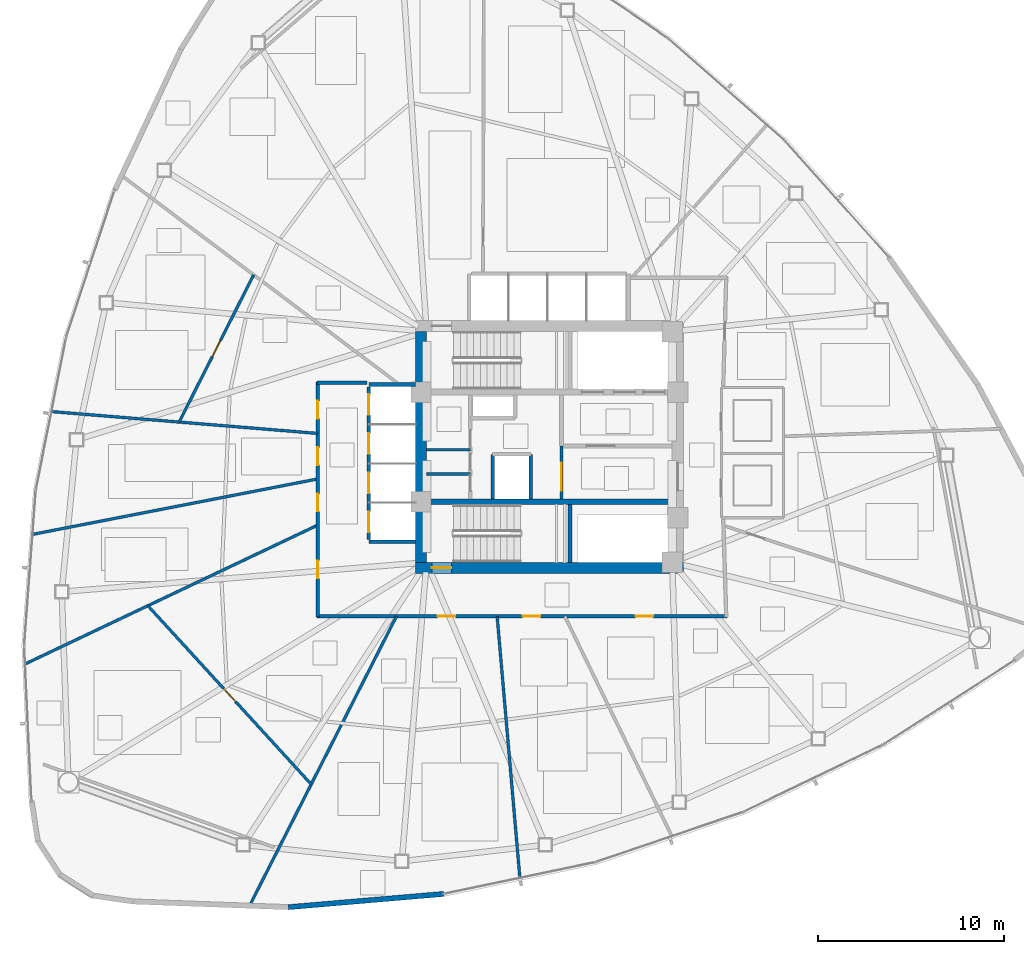
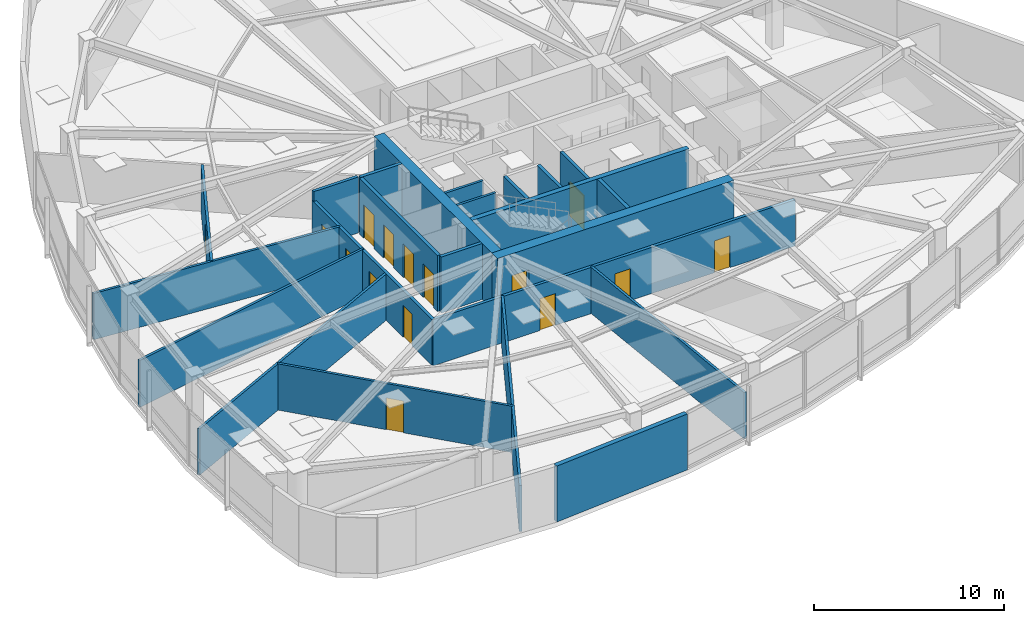
# One storey, part 11 of 17: 23 walls, 15 doors, 15 openings.
"""IFC4 building model written with IfcOpenShell, lengths in metres."""

import ifcopenshell
import ifcopenshell.guid

model = None  # the IFC model being written
_history = None  # IfcOwnerHistory: only IFC2X3 demands one
_inside = {}  # id of a spatial element -> (the spatial element, [elements in it])
_under = {}  # id of a project, library or spatial element -> (it, [spatial elements below it])
_declared = {}  # id of a project -> (the project, [libraries it declares])
_typed = {}  # id of a type object -> (the type object, [elements of that type])
_made_of = {}  # id of a material, layer set ... -> (it, [elements and type objects made of it])


def new_model(schema):
    """Start an empty IFC model of exactly this schema.

    Asked for "IFC4X3", IfcOpenShell would pick the latest addendum, in which some entities
    have other attributes; the version numbers below select the first issue.
    IFC2X3 requires an IfcOwnerHistory on every rooted entity: one is made here for all.
    """
    global model, _history
    if schema == "IFC4X3":
        model = ifcopenshell.file(schema_version=(4, 3, 0, 0))
    else:
        model = ifcopenshell.file(schema=schema)
    _inside.clear()
    _under.clear()
    _declared.clear()
    _typed.clear()
    _made_of.clear()
    _history = None
    if model.schema == "IFC2X3":
        org = make("IfcOrganization", Name="unknown")
        user = make(
            "IfcPersonAndOrganization",
            ThePerson=make("IfcPerson", FamilyName="unknown"),
            TheOrganization=org,
        )
        app = make(
            "IfcApplication",
            ApplicationDeveloper=org,
            Version="unknown",
            ApplicationFullName="unknown",
            ApplicationIdentifier="unknown",
        )
        _history = make(
            "IfcOwnerHistory",
            OwningUser=user,
            OwningApplication=app,
            ChangeAction="ADDED",
            CreationDate=0,
        )
    return model


def make(cls, **values):
    """One entity of the class cls with the attributes given. An attribute that is None is left unset."""
    return model.create_entity(
        cls, **{name: value for name, value in values.items() if value is not None}
    )


def rooted(cls, **values):
    """An entity with a GlobalId (a new one), such as an element, a storey or a relation."""
    return make(cls, GlobalId=ifcopenshell.guid.new(), OwnerHistory=_history, **values)


def si_unit(unit_type, name, prefix=None):
    """IfcSIUnit, for example si_unit("LENGTHUNIT", "METRE", prefix="MILLI")."""
    return make("IfcSIUnit", UnitType=unit_type, Prefix=prefix, Name=name)


def assignment(units):
    """IfcUnitAssignment: the units of a project."""
    return None if units is None else make("IfcUnitAssignment", Units=units)


def point(xyz):
    """IfcCartesianPoint."""
    return None if xyz is None else make("IfcCartesianPoint", Coordinates=xyz)


def direction(xyz):
    """IfcDirection."""
    return None if xyz is None else make("IfcDirection", DirectionRatios=xyz)


def frame(location, z_axis=None, x_axis=None):
    """IfcAxis2Placement3D, a coordinate frame: its origin and axes. An axis left out is left unset."""
    return make(
        "IfcAxis2Placement3D",
        Location=point(location),
        Axis=direction(z_axis),
        RefDirection=direction(x_axis),
    )


def frame_2d(location, x_axis=None):
    """IfcAxis2Placement2D, a coordinate frame in the plane: its origin and x axis."""
    return make(
        "IfcAxis2Placement2D", Location=point(location), RefDirection=direction(x_axis)
    )


def origin():
    """The frame at (0, 0, 0) with its axes left unset."""
    return frame((0.0, 0.0, 0.0))


def place(relative_to, where):
    """IfcLocalPlacement: puts the frame where relative to a parent placement (None: the world)."""
    return make(
        "IfcLocalPlacement", PlacementRelTo=relative_to, RelativePlacement=where
    )


def context(
    kind, dimensions, precision=None, world=None, true_north=None, identifier=None
):
    """IfcGeometricRepresentationContext, for example the 3D "Model" context."""
    return make(
        "IfcGeometricRepresentationContext",
        ContextIdentifier=identifier,
        ContextType=kind,
        CoordinateSpaceDimension=dimensions,
        Precision=precision,
        WorldCoordinateSystem=world,
        TrueNorth=true_north,
    )


def subcontext(parent, identifier, kind, view, scale=None):
    """IfcGeometricRepresentationSubContext, for example "Body" below "Model"."""
    return make(
        "IfcGeometricRepresentationSubContext",
        ContextIdentifier=identifier,
        ContextType=kind,
        ParentContext=parent,
        TargetScale=scale,
        TargetView=view,
    )


def project(units=None, contexts=None):
    """IfcProject with its units and contexts."""
    return rooted(
        "IfcProject",
        Name="project",
        RepresentationContexts=contexts,
        UnitsInContext=assignment(units),
    )


def spatial(cls, under=None, at=None, **own):
    """A site, building, storey or space (cls), placed at a placement, below another one or the project."""
    s = rooted(cls, ObjectPlacement=at, **own)
    if under is not None:
        _under.setdefault(under.id(), (under, []))[1].append(s)
    return s


def profile(cls, at=None, kind="AREA", **sizes):
    """A parametric profile (cls). Its sizes go by their IFC names, for example OverallWidth=200.0."""
    return make(cls, ProfileType=kind, Position=at, **sizes)


def rectangle(**sizes):
    """IfcRectangleProfileDef."""
    return profile("IfcRectangleProfileDef", **sizes)


def extrude(swept, where, along, depth):
    """IfcExtrudedAreaSolid: the profile swept, set in the frame where, extruded along a direction by depth."""
    return make(
        "IfcExtrudedAreaSolid",
        SweptArea=swept,
        Position=where,
        ExtrudedDirection=direction(along),
        Depth=depth,
    )


def shape(context_of_items, identifier, shape_type, items):
    """IfcShapeRepresentation: the items that make up one representation, for example the "Body"."""
    return make(
        "IfcShapeRepresentation",
        ContextOfItems=context_of_items,
        RepresentationIdentifier=identifier,
        RepresentationType=shape_type,
        Items=items,
    )


def material(Name=None, Category=None):
    """IfcMaterial."""
    return make("IfcMaterial", Name=Name, Category=Category)


def layer(
    of_material, thickness, ventilated=None, Name=None, Category=None, Priority=None
):
    """IfcMaterialLayer: one layer of a wall or slab, of a material (None: an air gap)."""
    return make(
        "IfcMaterialLayer",
        Material=of_material,
        LayerThickness=thickness,
        IsVentilated=ventilated,
        Name=Name,
        Category=Category,
        Priority=Priority,
    )


def layer_set(layers, Name=None):
    """IfcMaterialLayerSet."""
    return make("IfcMaterialLayerSet", MaterialLayers=layers, LayerSetName=Name)


def made_of(thing, what):
    """Note that an element or type object is made of a material, layer set ...; save() writes the relation."""
    if what is not None:
        _made_of.setdefault(what.id(), (what, []))[1].append(thing)
    return thing


def type_object(cls, material=None, **own):
    """A type object (cls), such as IfcWallType, which elements share."""
    return made_of(rooted(cls, **own), material)


def element(
    cls,
    number,
    at=None,
    inside=None,
    cuts=None,
    type_object=None,
    material=None,
    context=None,
    identifier="Body",
    shape_type=None,
    held_by="IfcProductDefinitionShape",
    body=None,
    shapes=None,
    **own,
):
    """One element of the class cls, such as IfcWall. Its Tag is "e" and its number.

    at: its placement. inside: the storey or other place that contains it. cuts: it is an
    opening in that element (IfcRelVoidsElement). A single representation is given by context,
    identifier, shape_type and body (its items); several are given by shapes. held_by: the class
    of the entity that holds the representations. save() writes the other relations.
    """
    e = rooted(cls, Tag="e%d" % number, ObjectPlacement=at, **own)
    if body is not None:
        shapes = [shape(context, identifier, shape_type, body)]
    if shapes is not None:
        e.Representation = make(held_by, Representations=shapes)
    if inside is not None:
        _inside.setdefault(inside.id(), (inside, []))[1].append(e)
    if cuts is not None:
        rooted(
            "IfcRelVoidsElement", RelatingBuildingElement=cuts, RelatedOpeningElement=e
        )
    if type_object is not None:
        _typed.setdefault(type_object.id(), (type_object, []))[1].append(e)
    return made_of(e, material)


def fill(opening, filler):
    """IfcRelFillsElement: the door or window that sits in an opening."""
    return rooted(
        "IfcRelFillsElement",
        RelatingOpeningElement=opening,
        RelatedBuildingElement=filler,
    )


def aggregate(whole, parts):
    """IfcRelAggregates: a whole, such as a stair, and the parts it consists of."""
    return rooted("IfcRelAggregates", RelatingObject=whole, RelatedObjects=parts)


def save(model, path):
    """Write the relations noted so far, then the file.

    IfcRelAggregates (storeys below a building ...), IfcRelContainedInSpatialStructure (elements
    in a storey), IfcRelDefinesByType, IfcRelAssociatesMaterial and IfcRelDeclares: one each for
    every whole, place, type object, material and project.
    """
    for whole, parts in _under.values():
        aggregate(whole, parts)
    for where, things in _inside.values():
        rooted(
            "IfcRelContainedInSpatialStructure",
            RelatedElements=things,
            RelatingStructure=where,
        )
    for kind, things in _typed.values():
        rooted("IfcRelDefinesByType", RelatedObjects=things, RelatingType=kind)
    for what, things in _made_of.values():
        rooted("IfcRelAssociatesMaterial", RelatedObjects=things, RelatingMaterial=what)
    for by, libraries in _declared.values():
        rooted("IfcRelDeclares", RelatingContext=by, RelatedDefinitions=libraries)
    model.write(path)


model = new_model("IFC4")

# Units and contexts
model_context = context("Model", 3, precision=1e-05, world=origin(), true_north=direction((0.0, 1.0)))
body_context = subcontext(model_context, "Body", "Model", "MODEL_VIEW")
ifc_project = project(units=[si_unit("LENGTHUNIT", "METRE"), si_unit("AREAUNIT", "SQUARE_METRE"), si_unit("VOLUMEUNIT", "CUBIC_METRE"), si_unit("PLANEANGLEUNIT", "RADIAN"), si_unit("MASSUNIT", "GRAM", prefix="KILO")], contexts=[model_context])

# Site, building, storey
site_placement = place(None, origin())
site = spatial("IfcSite", under=ifc_project, at=site_placement, CompositionType="ELEMENT")
building_placement = place(site_placement, origin())
building = spatial("IfcBuilding", under=site, at=building_placement, Name="Tavelor Broadcast Tower", CompositionType="ELEMENT")
storey_placement = place(building_placement, frame((0.0, 0.0, 90.0)))
storey = spatial("IfcBuildingStorey", under=building, at=storey_placement, Name="L21", CompositionType="ELEMENT", Elevation=90.0)

# Wall, opening, door
ifc_material_1 = material(Name="Concrete C60/75", Category="concrete")
ifc_layer_1 = layer(ifc_material_1, 0.60009765625)
ifc_layer_set_1 = layer_set([ifc_layer_1], Name="Concrete C60/75")
wall_type_1 = type_object("IfcWallType", Name="Core Shear Wall 600 mm", PredefinedType="SHEAR", material=ifc_layer_set_1)
wall_1_placement = place(storey_placement, frame((42.800048828125, 38.5, 0.0), z_axis=(0.0, 0.0, 1.0), x_axis=(1.0, 0.0, 0.0)))
wall_1 = element("IfcWall", 1, at=wall_1_placement, inside=storey, type_object=wall_type_1, Name="L21 Central Core Shear Wall S", PredefinedType="SHEAR", context=body_context, shape_type="SweptSolid", body=[
    extrude(rectangle(XDim=14.39990234375, YDim=0.60009765625, at=frame_2d((7.199951171875, 0.0))), origin(), (0.0, 0.0, 1.0), 3.60009765625),
])
opening_1_placement = place(wall_1_placement, frame((0.8798828125, 0.0, 0.0)))
opening_1 = element("IfcOpeningElement", 2, at=opening_1_placement, cuts=wall_1, Name="Opening DR11", PredefinedType="OPENING", context=body_context, shape_type="SweptSolid", body=[
    extrude(rectangle(XDim=1.050048828125, YDim=2.199951171875, at=frame_2d((0.52490234375, 1.10009765625))), frame((0.0, 0.31005859375, 0.0), z_axis=(0.0, -1.0, 0.0), x_axis=(1.0, 0.0, 0.0)), (0.0, 0.0, 1.0), 0.6201171875),
])
ifc_material_2 = material(Name="Steel S355", Category="steel")
door_type_1 = type_object("IfcDoorType", Name="Stair Core Fire Escape Door 1050x2200", OperationType="NOTDEFINED", PredefinedType="DOOR", material=ifc_material_2)
door_1_placement = place(opening_1_placement, origin())
door_1 = element("IfcDoor", 3, at=door_1_placement, inside=storey, type_object=door_type_1, Name="L21 Stair ST2 Protected Exit Door", OperationType="SINGLE_SWING_RIGHT", OverallHeight=2.199951171875, OverallWidth=1.050048828125, PredefinedType="DOOR", context=body_context, shape_type="SweptSolid", body=[
    extrude(rectangle(XDim=1.050048828125, YDim=2.199951171875, at=frame_2d((0.52490234375, 1.10009765625))), frame((0.0, 0.02490234375, 0.0), z_axis=(0.0, -1.0, 0.0), x_axis=(1.0, 0.0, 0.0)), (0.0, 0.0, 1.0), 0.050048828125),
])
fill(opening_1, door_1)

# Walls
wall_2_placement = place(storey_placement, frame((43.10009765625, 38.800048828125, 0.0), z_axis=(0.0, 0.0, 1.0), x_axis=(0.0, 1.0, 0.0)))
element("IfcWall", 4, at=wall_2_placement, inside=storey, type_object=wall_type_1, Name="L21 Central Core Shear Wall W", PredefinedType="SHEAR", context=body_context, shape_type="SweptSolid", body=[
    extrude(rectangle(XDim=12.39990234375, YDim=0.60009765625, at=frame_2d((6.199951171875, 0.0))), origin(), (0.0, 0.0, 1.0), 3.60009765625),
])
ifc_layer_2 = layer(ifc_material_1, 0.300048828125)
ifc_layer_set_2 = layer_set([ifc_layer_2], Name="Concrete C60/75")
wall_type_2 = type_object("IfcWallType", Name="Core Spine Shear Wall 300 mm C60", PredefinedType="SHEAR", material=ifc_layer_set_2)
wall_3_placement = place(storey_placement, frame((43.39990234375, 42.050048828125, 0.0), z_axis=(0.0, 0.0, 1.0), x_axis=(1.0, 0.0, 0.0)))
element("IfcWall", 5, at=wall_3_placement, inside=storey, type_object=wall_type_2, Name="L21 Central Core Shear Wall SP2", PredefinedType="SHEAR", context=body_context, shape_type="SweptSolid", body=[
    extrude(rectangle(XDim=13.2001953125, YDim=0.300048828125, at=frame_2d((6.60009765625, 0.0))), origin(), (0.0, 0.0, 1.0), 3.60009765625),
])

# Wall, opening, door
ifc_material_3 = material(Name="Calcium Silicate Fire Board 180 mm", Category="gypsum")
ifc_layer_3 = layer(ifc_material_3, 0.179931640625)
ifc_layer_set_3 = layer_set([ifc_layer_3], Name="Calcium Silicate Fire Board 180 mm")
wall_type_3 = type_object("IfcWallType", Name="Fire-Rated Corridor Partition Wall 180 mm", PredefinedType="PARTITIONING", material=ifc_layer_set_3)
wall_4_placement = place(storey_placement, frame((50.64990234375, 42.199951171875, 0.0), z_axis=(0.0, 0.0, 1.0), x_axis=(0.0, 1.0, 0.0)))
wall_4 = element("IfcWall", 6, at=wall_4_placement, inside=storey, type_object=wall_type_3, Name="L21 Core Lobby Zoning Wall", PredefinedType="PARTITIONING", context=body_context, shape_type="SweptSolid", body=[
    extrude(rectangle(XDim=2.85009765625, YDim=0.179931640625, at=frame_2d((1.425048828125, 0.0))), origin(), (0.0, 0.0, 1.0), 3.60009765625),
])
opening_2_placement = place(wall_4_placement, frame((0.449951171875, 0.0, 0.0)))
opening_2 = element("IfcOpeningElement", 7, at=opening_2_placement, cuts=wall_4, Name="Opening DR14", PredefinedType="OPENING", context=body_context, shape_type="SweptSolid", body=[
    extrude(rectangle(XDim=1.5, YDim=2.199951171875, at=frame_2d((0.75, 1.10009765625))), frame((0.0, 0.10009765625, 0.0), z_axis=(0.0, -1.0, 0.0), x_axis=(1.0, 0.0, 0.0)), (0.0, 0.0, 1.0), 0.199951171875),
])
door_type_2 = type_object("IfcDoorType", Name="Firefighting Lobby Double Fire Door 1500x2200", OperationType="NOTDEFINED", PredefinedType="DOOR", material=ifc_material_2)
door_2_placement = place(opening_2_placement, origin())
door_2 = element("IfcDoor", 8, at=door_2_placement, inside=storey, type_object=door_type_2, Name="L21 Core West Lobby Double Fire Door", OperationType="SINGLE_SWING_LEFT", OverallHeight=2.199951171875, OverallWidth=1.5, PredefinedType="DOOR", context=body_context, shape_type="SweptSolid", body=[
    extrude(rectangle(XDim=1.5, YDim=2.199951171875, at=frame_2d((0.75, 1.10009765625))), frame((0.0, 0.02490234375, 0.0), z_axis=(0.0, -1.0, 0.0), x_axis=(1.0, 0.0, 0.0)), (0.0, 0.0, 1.0), 0.050048828125),
])
fill(opening_2, door_2)

# Wall, openings, doors
wall_5_placement = place(storey_placement, frame((59.550048828125, 35.89990234375, 0.0), z_axis=(0.0, 0.0, 1.0), x_axis=(-1.0, 0.0, 0.0)))
wall_5 = element("IfcWall", 9, at=wall_5_placement, inside=storey, type_object=wall_type_3, Name="L21 Corridor Compartment Wall 04", PredefinedType="PARTITIONING", context=body_context, shape_type="SweptSolid", body=[
    extrude(rectangle(XDim=22.050048828125, YDim=0.179931640625, at=frame_2d((11.02490234375, 0.0))), origin(), (0.0, 0.0, 1.0), 2.97509765625),
])
opening_3_placement = place(wall_5_placement, frame((3.972412109375, 0.0, 0.0)))
opening_3 = element("IfcOpeningElement", 10, at=opening_3_placement, cuts=wall_5, Name="Opening DR18", PredefinedType="OPENING", context=body_context, shape_type="SweptSolid", body=[
    extrude(rectangle(XDim=0.949951171875, YDim=2.050048828125, at=frame_2d((0.47509765625, 1.02490234375))), frame((0.0, 0.10009765625, 0.0), z_axis=(0.0, -1.0, 0.0), x_axis=(1.0, 0.0, 0.0)), (0.0, 0.0, 1.0), 0.199951171875),
])
opening_4_placement = place(wall_5_placement, frame((10.0390625, 0.0, 0.0)))
opening_4 = element("IfcOpeningElement", 11, at=opening_4_placement, cuts=wall_5, Name="Opening DR18", PredefinedType="OPENING", context=body_context, shape_type="SweptSolid", body=[
    extrude(rectangle(XDim=0.949951171875, YDim=2.050048828125, at=frame_2d((0.47509765625, 1.02490234375))), frame((0.0, 0.10009765625, 0.0), z_axis=(0.0, -1.0, 0.0), x_axis=(1.0, 0.0, 0.0)), (0.0, 0.0, 1.0), 0.199951171875),
])
opening_5_placement = place(wall_5_placement, frame((14.606201171875, 0.0, 0.0)))
opening_5 = element("IfcOpeningElement", 12, at=opening_5_placement, cuts=wall_5, Name="Opening DR18", PredefinedType="OPENING", context=body_context, shape_type="SweptSolid", body=[
    extrude(rectangle(XDim=0.949951171875, YDim=2.050048828125, at=frame_2d((0.47509765625, 1.02490234375))), frame((0.0, 0.10009765625, 0.0), z_axis=(0.0, -1.0, 0.0), x_axis=(1.0, 0.0, 0.0)), (0.0, 0.0, 1.0), 0.199951171875),
])
ifc_material_4 = material(Name="Timber Solid Core Hardwood", Category="wood")
door_type_3 = type_object("IfcDoorType", Name="Corridor Rated Compartment Door 950x2050", OperationType="NOTDEFINED", PredefinedType="DOOR", material=ifc_material_4)
door_3_placement = place(opening_3_placement, origin())
door_3 = element("IfcDoor", 13, at=door_3_placement, inside=storey, type_object=door_type_3, Name="L21 Editorial Quiet Study Door R0", OperationType="SINGLE_SWING_LEFT", OverallHeight=2.050048828125, OverallWidth=0.949951171875, PredefinedType="DOOR", context=body_context, shape_type="SweptSolid", body=[
    extrude(rectangle(XDim=0.949951171875, YDim=2.050048828125, at=frame_2d((0.47509765625, 1.02490234375))), frame((0.0, 0.02490234375, 0.0), z_axis=(0.0, -1.0, 0.0), x_axis=(1.0, 0.0, 0.0)), (0.0, 0.0, 1.0), 0.050048828125),
])
fill(opening_3, door_3)
door_4_placement = place(opening_4_placement, origin())
door_4 = element("IfcDoor", 14, at=door_4_placement, inside=storey, type_object=door_type_3, Name="L21 Broadcast Script Study Door R1", OperationType="SINGLE_SWING_RIGHT", OverallHeight=2.050048828125, OverallWidth=0.949951171875, PredefinedType="DOOR", context=body_context, shape_type="SweptSolid", body=[
    extrude(rectangle(XDim=0.949951171875, YDim=2.050048828125, at=frame_2d((0.47509765625, 1.02490234375))), frame((0.0, 0.02490234375, 0.0), z_axis=(0.0, -1.0, 0.0), x_axis=(1.0, 0.0, 0.0)), (0.0, 0.0, 1.0), 0.050048828125),
])
fill(opening_4, door_4)
door_5_placement = place(opening_5_placement, origin())
door_5 = element("IfcDoor", 15, at=door_5_placement, inside=storey, type_object=door_type_3, Name="L21 Executive Reading Study Door R2", OperationType="SINGLE_SWING_LEFT", OverallHeight=2.050048828125, OverallWidth=0.949951171875, PredefinedType="DOOR", context=body_context, shape_type="SweptSolid", body=[
    extrude(rectangle(XDim=0.949951171875, YDim=2.050048828125, at=frame_2d((0.47509765625, 1.02490234375))), frame((0.0, 0.02490234375, 0.0), z_axis=(0.0, -1.0, 0.0), x_axis=(1.0, 0.0, 0.0)), (0.0, 0.0, 1.0), 0.050048828125),
])
fill(opening_5, door_5)

wall_6_placement = place(storey_placement, frame((37.550048828125, 35.85009765625, 0.0), z_axis=(0.0, 0.0, 1.0), x_axis=(0.0, 1.0, 0.0)))
wall_6 = element("IfcWall", 16, at=wall_6_placement, inside=storey, type_object=wall_type_3, Name="L21 Corridor Compartment Wall 05", PredefinedType="PARTITIONING", context=body_context, shape_type="SweptSolid", body=[
    extrude(rectangle(XDim=12.64990234375, YDim=0.179931640625, at=frame_2d((6.324951171875, 0.0))), origin(), (0.0, 0.0, 1.0), 2.97509765625),
])
opening_6_placement = place(wall_6_placement, frame((2.087646484375, 0.0, 0.0)))
opening_6 = element("IfcOpeningElement", 17, at=opening_6_placement, cuts=wall_6, Name="Opening DR18", PredefinedType="OPENING", context=body_context, shape_type="SweptSolid", body=[
    extrude(rectangle(XDim=0.949951171875, YDim=2.050048828125, at=frame_2d((0.47509765625, 1.02490234375))), frame((0.0, 0.10009765625, 0.0), z_axis=(0.0, -1.0, 0.0), x_axis=(1.0, 0.0, 0.0)), (0.0, 0.0, 1.0), 0.199951171875),
])
opening_7_placement = place(wall_6_placement, frame((5.68310546875, 0.0, 0.0)))
opening_7 = element("IfcOpeningElement", 18, at=opening_7_placement, cuts=wall_6, Name="Opening DR18", PredefinedType="OPENING", context=body_context, shape_type="SweptSolid", body=[
    extrude(rectangle(XDim=0.949951171875, YDim=2.050048828125, at=frame_2d((0.47509765625, 1.02490234375))), frame((0.0, 0.10009765625, 0.0), z_axis=(0.0, -1.0, 0.0), x_axis=(1.0, 0.0, 0.0)), (0.0, 0.0, 1.0), 0.199951171875),
])
opening_8_placement = place(wall_6_placement, frame((8.1728515625, 0.0, 0.0)))
opening_8 = element("IfcOpeningElement", 19, at=opening_8_placement, cuts=wall_6, Name="Opening DR18", PredefinedType="OPENING", context=body_context, shape_type="SweptSolid", body=[
    extrude(rectangle(XDim=0.949951171875, YDim=2.050048828125, at=frame_2d((0.47509765625, 1.02490234375))), frame((0.0, 0.10009765625, 0.0), z_axis=(0.0, -1.0, 0.0), x_axis=(1.0, 0.0, 0.0)), (0.0, 0.0, 1.0), 0.199951171875),
])
opening_9_placement = place(wall_6_placement, frame((10.6748046875, 0.0, 0.0)))
opening_9 = element("IfcOpeningElement", 20, at=opening_9_placement, cuts=wall_6, Name="Opening DR18", PredefinedType="OPENING", context=body_context, shape_type="SweptSolid", body=[
    extrude(rectangle(XDim=0.949951171875, YDim=2.050048828125, at=frame_2d((0.47509765625, 1.02490234375))), frame((0.0, 0.10009765625, 0.0), z_axis=(0.0, -1.0, 0.0), x_axis=(1.0, 0.0, 0.0)), (0.0, 0.0, 1.0), 0.199951171875),
])
door_6_placement = place(opening_6_placement, origin())
door_6 = element("IfcDoor", 21, at=door_6_placement, inside=storey, type_object=door_type_3, Name="L21 Producer Interview Room Door R12", OperationType="SINGLE_SWING_RIGHT", OverallHeight=2.050048828125, OverallWidth=0.949951171875, PredefinedType="DOOR", context=body_context, shape_type="SweptSolid", body=[
    extrude(rectangle(XDim=0.949951171875, YDim=2.050048828125, at=frame_2d((0.47509765625, 1.02490234375))), frame((0.0, 0.02490234375, 0.0), z_axis=(0.0, -1.0, 0.0), x_axis=(1.0, 0.0, 0.0)), (0.0, 0.0, 1.0), 0.050048828125),
])
fill(opening_6, door_6)
door_7_placement = place(opening_7_placement, origin())
door_7 = element("IfcDoor", 22, at=door_7_placement, inside=storey, type_object=door_type_3, Name="L21 Documentary Research Study Door R4", OperationType="SINGLE_SWING_LEFT", OverallHeight=2.050048828125, OverallWidth=0.949951171875, PredefinedType="DOOR", context=body_context, shape_type="SweptSolid", body=[
    extrude(rectangle(XDim=0.949951171875, YDim=2.050048828125, at=frame_2d((0.47509765625, 1.02490234375))), frame((0.0, 0.02490234375, 0.0), z_axis=(0.0, -1.0, 0.0), x_axis=(1.0, 0.0, 0.0)), (0.0, 0.0, 1.0), 0.050048828125),
])
fill(opening_7, door_7)
door_8_placement = place(opening_8_placement, origin())
door_8 = element("IfcDoor", 23, at=door_8_placement, inside=storey, type_object=door_type_3, Name="L21 Talent Script Den Door R5", OperationType="SINGLE_SWING_RIGHT", OverallHeight=2.050048828125, OverallWidth=0.949951171875, PredefinedType="DOOR", context=body_context, shape_type="SweptSolid", body=[
    extrude(rectangle(XDim=0.949951171875, YDim=2.050048828125, at=frame_2d((0.47509765625, 1.02490234375))), frame((0.0, 0.02490234375, 0.0), z_axis=(0.0, -1.0, 0.0), x_axis=(1.0, 0.0, 0.0)), (0.0, 0.0, 1.0), 0.050048828125),
])
fill(opening_8, door_8)
door_9_placement = place(opening_9_placement, origin())
door_9 = element("IfcDoor", 24, at=door_9_placement, inside=storey, type_object=door_type_3, Name="L21 VFX Compositing Lab Door R11", OperationType="SINGLE_SWING_LEFT", OverallHeight=2.050048828125, OverallWidth=0.949951171875, PredefinedType="DOOR", context=body_context, shape_type="SweptSolid", body=[
    extrude(rectangle(XDim=0.949951171875, YDim=2.050048828125, at=frame_2d((0.47509765625, 1.02490234375))), frame((0.0, 0.02490234375, 0.0), z_axis=(0.0, -1.0, 0.0), x_axis=(1.0, 0.0, 0.0)), (0.0, 0.0, 1.0), 0.050048828125),
])
fill(opening_9, door_9)

# Walls
wall_7_placement = place(storey_placement, frame((37.5, 48.449951171875, 0.0), z_axis=(0.0, 0.0, 1.0), x_axis=(1.0, 0.0, 0.0)))
element("IfcWall", 25, at=wall_7_placement, inside=storey, type_object=wall_type_3, Name="L21 Corridor Compartment Wall 06", PredefinedType="PARTITIONING", context=body_context, shape_type="SweptSolid", body=[
    extrude(rectangle(XDim=2.699951171875, YDim=0.179931640625, at=frame_2d((1.35009765625, 0.0))), origin(), (0.0, 0.0, 1.0), 3.60009765625),
])
ifc_material_5 = material(Name="Precast Concrete C40/50", Category="concrete")
ifc_layer_4 = layer(ifc_material_5, 0.280029296875)
ifc_layer_set_4 = layer_set([ifc_layer_4], Name="Precast Concrete C40/50")
wall_type_4 = type_object("IfcWallType", Name="Insulated Precast Terracotta Facade Wall 280 mm", PredefinedType="STANDARD", material=ifc_layer_set_4)
wall_8_placement = place(storey_placement, frame((35.966796875, 20.269287109375, 0.0), z_axis=(0.0, 0.0, 1.0), x_axis=(0.996385063701, 0.084951779464, 0.0)))
element("IfcWall", 26, at=wall_8_placement, inside=storey, type_object=wall_type_4, Name="L21 Rounded Corner Structural Cladding Pier 16", PredefinedType="STANDARD", context=body_context, shape_type="SweptSolid", body=[
    extrude(rectangle(XDim=8.383056640625, YDim=0.280029296875, at=frame_2d((4.19140625, 0.0))), origin(), (0.0, 0.0, 1.0), 3.60009765625),
])
ifc_material_6 = material(Name="Gypsum Acoustic Plasterboard 150 mm", Category="gypsum")
ifc_layer_5 = layer(ifc_material_6, 0.14990234375)
ifc_layer_set_5 = layer_set([ifc_layer_5], Name="Gypsum Acoustic Plasterboard 150 mm")
wall_type_5 = type_object("IfcWallType", Name="Interior Acoustic Partition Wall 150 mm", PredefinedType="PARTITIONING", material=ifc_layer_set_5)
for number, where, z_axis, x_axis, name in (
    (27, (43.39990234375, 43.550048828125, 0.0), (0.0, 0.0, 1.0), (1.0, 0.0, 0.0), "L21 Core Split Wall B1"),
    (28, (43.39990234375, 44.85009765625, 0.0), (0.0, 0.0, 1.0), (1.0, 0.0, 0.0), "L21 Core Split Wall B2"),
):
    element("IfcWall", number, at=place(storey_placement, frame(where, z_axis=z_axis, x_axis=x_axis)), inside=storey, type_object=wall_type_5, Name=name, PredefinedType="PARTITIONING", context=body_context, shape_type="SweptSolid", body=[
        extrude(rectangle(XDim=2.35009765625, YDim=0.14990234375, at=frame_2d((1.175048828125, 0.0))), origin(), (0.0, 0.0, 1.0), 3.60009765625),
    ])
wall_9_placement = place(storey_placement, frame((37.550048828125, 43.27978515625, 0.0), z_axis=(0.0, 0.0, 1.0), x_axis=(-0.981625638132, -0.190816945166, 0.0)))
element("IfcWall", 29, at=wall_9_placement, inside=storey, type_object=wall_type_5, Name="L21 Radial Compartment Wall 01", PredefinedType="PARTITIONING", context=body_context, shape_type="SweptSolid", body=[
    extrude(rectangle(XDim=15.61962890625, YDim=0.14990234375, at=frame_2d((7.809814453125, 0.0))), origin(), (0.0, 0.0, 1.0), 3.02490234375),
])
wall_10_placement = place(storey_placement, frame((37.550048828125, 40.7998046875, 0.0), z_axis=(0.0, 0.0, 1.0), x_axis=(-0.903418447206, -0.428759966937, 0.0)))
element("IfcWall", 30, at=wall_10_placement, inside=storey, type_object=wall_type_5, Name="L21 Radial Compartment Wall 02", PredefinedType="PARTITIONING", context=body_context, shape_type="SweptSolid", body=[
    extrude(rectangle(XDim=17.414794921875, YDim=0.14990234375, at=frame_2d((8.70751953125, 0.0))), origin(), (0.0, 0.0, 1.0), 2.97509765625),
])
wall_11_placement = place(storey_placement, frame((41.78173828125, 35.89990234375, 0.0), z_axis=(0.0, 0.0, 1.0), x_axis=(-0.452549307767, -0.891739381232, 0.0)))
element("IfcWall", 31, at=wall_11_placement, inside=storey, type_object=wall_type_5, Name="L21 Radial Compartment Wall 03", PredefinedType="PARTITIONING", context=body_context, shape_type="SweptSolid", body=[
    extrude(rectangle(XDim=17.45263671875, YDim=0.14990234375, at=frame_2d((8.726318359375, 0.0))), origin(), (0.0, 0.0, 1.0), 2.97509765625),
])
wall_12_placement = place(storey_placement, frame((47.191162109375, 35.89990234375, 0.0), z_axis=(0.0, 0.0, 1.0), x_axis=(0.086601271701, -0.996243052543, 0.0)))
element("IfcWall", 32, at=wall_12_placement, inside=storey, type_object=wall_type_5, Name="L21 Radial Compartment Wall 04", PredefinedType="PARTITIONING", context=body_context, shape_type="SweptSolid", body=[
    extrude(rectangle(XDim=14.123779296875, YDim=0.14990234375, at=frame_2d((7.06201171875, 0.0))), origin(), (0.0, 0.0, 1.0), 2.97509765625),
])
wall_13_placement = place(storey_placement, frame((37.550048828125, 45.72607421875, 0.0), z_axis=(0.0, 0.0, 1.0), x_axis=(-0.996652187519, 0.081758284676, 0.0)))
element("IfcWall", 33, at=wall_13_placement, inside=storey, type_object=wall_type_5, Name="L21 Radial Compartment Wall 11", PredefinedType="PARTITIONING", context=body_context, shape_type="SweptSolid", body=[
    extrude(rectangle(XDim=14.36328125, YDim=0.14990234375, at=frame_2d((7.181640625, 0.0))), origin(), (0.0, 0.0, 1.0), 2.97509765625),
])

# Wall, opening, door
wall_14_placement = place(storey_placement, frame((34.10888671875, 54.24609375, 0.0), z_axis=(0.0, 0.0, 1.0), x_axis=(-0.451548927721, -0.892246359406, 0.0)))
wall_14 = element("IfcWall", 34, at=wall_14_placement, inside=storey, type_object=wall_type_5, Name="L21 Suite Chord Partition Wall 01", PredefinedType="PARTITIONING", context=body_context, shape_type="SweptSolid", body=[
    extrude(rectangle(XDim=8.8642578125, YDim=0.14990234375, at=frame_2d((4.43212890625, 0.0))), origin(), (0.0, 0.0, 1.0), 2.97509765625),
])
opening_10_placement = place(wall_14_placement, frame((3.957275390625, 0.0, 0.0)))
opening_10 = element("IfcOpeningElement", 35, at=opening_10_placement, cuts=wall_14, Name="Opening DR23", PredefinedType="OPENING", context=body_context, shape_type="SweptSolid", body=[
    extrude(rectangle(XDim=0.949951171875, YDim=2.050048828125, at=frame_2d((0.47509765625, 1.02490234375))), frame((0.0, 0.0849609375, 0.0), z_axis=(0.0, -1.0, 0.0), x_axis=(1.0, 0.0, 0.0)), (0.0, 0.0, 1.0), 0.169921875),
])
door_type_4 = type_object("IfcDoorType", Name="Editorial Room Acoustic Door 950x2050", OperationType="NOTDEFINED", PredefinedType="DOOR", material=ifc_material_4)
door_10_placement = place(opening_10_placement, origin())
door_10 = element("IfcDoor", 36, at=door_10_placement, inside=storey, type_object=door_type_4, Name="L21 Outer Suite Partition Door 1", OperationType="SINGLE_SWING_RIGHT", OverallHeight=2.050048828125, OverallWidth=0.949951171875, PredefinedType="DOOR", context=body_context, shape_type="SweptSolid", body=[
    extrude(rectangle(XDim=0.949951171875, YDim=2.050048828125, at=frame_2d((0.47509765625, 1.02490234375))), frame((0.0, 0.02490234375, 0.0), z_axis=(0.0, -1.0, 0.0), x_axis=(1.0, 0.0, 0.0)), (0.0, 0.0, 1.0), 0.050048828125),
])
fill(opening_10, door_10)

wall_15_placement = place(storey_placement, frame((28.425048828125, 36.468994140625, 0.0), z_axis=(0.0, 0.0, 1.0), x_axis=(0.674880805773, -0.737926756527, 0.0)))
wall_15 = element("IfcWall", 37, at=wall_15_placement, inside=storey, type_object=wall_type_5, Name="L21 Suite Chord Partition Wall 02", PredefinedType="PARTITIONING", context=body_context, shape_type="SweptSolid", body=[
    extrude(rectangle(XDim=13.003662109375, YDim=0.14990234375, at=frame_2d((6.501953125, 0.0))), origin(), (0.0, 0.0, 1.0), 2.97509765625),
])
opening_11_placement = place(wall_15_placement, frame((6.02685546875, 0.0, 0.0)))
opening_11 = element("IfcOpeningElement", 38, at=opening_11_placement, cuts=wall_15, Name="Opening DR23", PredefinedType="OPENING", context=body_context, shape_type="SweptSolid", body=[
    extrude(rectangle(XDim=0.949951171875, YDim=2.050048828125, at=frame_2d((0.47509765625, 1.02490234375))), frame((0.0, 0.0849609375, 0.0), z_axis=(0.0, -1.0, 0.0), x_axis=(1.0, 0.0, 0.0)), (0.0, 0.0, 1.0), 0.169921875),
])
door_11_placement = place(opening_11_placement, origin())
door_11 = element("IfcDoor", 39, at=door_11_placement, inside=storey, type_object=door_type_4, Name="L21 Outer Suite Partition Door 2", OperationType="SINGLE_SWING_LEFT", OverallHeight=2.050048828125, OverallWidth=0.949951171875, PredefinedType="DOOR", context=body_context, shape_type="SweptSolid", body=[
    extrude(rectangle(XDim=0.949951171875, YDim=2.050048828125, at=frame_2d((0.47509765625, 1.02490234375))), frame((0.0, 0.02490234375, 0.0), z_axis=(0.0, -1.0, 0.0), x_axis=(1.0, 0.0, 0.0)), (0.0, 0.0, 1.0), 0.050048828125),
])
fill(opening_11, door_11)

# Wall, openings, doors
ifc_material_7 = material(Name="Concrete Blockwork 200 mm", Category="masonry")
ifc_layer_6 = layer(ifc_material_7, 0.199951171875)
ifc_layer_set_6 = layer_set([ifc_layer_6], Name="Concrete Blockwork 200 mm")
wall_type_6 = type_object("IfcWallType", Name="Lift Hoistway Rated Front Wall 200 mm", PredefinedType="PARTITIONING", material=ifc_layer_set_6)
wall_16_placement = place(storey_placement, frame((40.300048828125, 40.02001953125, 0.0), z_axis=(0.0, 0.0, 1.0), x_axis=(0.0, 1.0, 0.0)))
wall_16 = element("IfcWall", 40, at=wall_16_placement, inside=storey, type_object=wall_type_6, Name="L21 Low-Rise Lift Hoistway Front Wall", PredefinedType="PARTITIONING", context=body_context, shape_type="SweptSolid", body=[
    extrude(rectangle(XDim=8.2099609375, YDim=0.199951171875, at=frame_2d((4.10498046875, 0.0))), origin(), (0.0, 0.0, 1.0), 3.60009765625),
])
opening_12_placement = place(wall_16_placement, frame((0.405029296875, 0.0, 0.0)))
opening_12 = element("IfcOpeningElement", 41, at=opening_12_placement, cuts=wall_16, Name="Opening LD01", PredefinedType="OPENING", context=body_context, shape_type="SweptSolid", body=[
    extrude(rectangle(XDim=1.10009765625, YDim=2.14990234375, at=frame_2d((0.550048828125, 1.074951171875))), frame((0.0, 0.10986328125, 0.0), z_axis=(0.0, -1.0, 0.0), x_axis=(1.0, 0.0, 0.0)), (0.0, 0.0, 1.0), 0.219970703125),
])
opening_13_placement = place(wall_16_placement, frame((2.5048828125, 0.0, 0.0)))
opening_13 = element("IfcOpeningElement", 42, at=opening_13_placement, cuts=wall_16, Name="Opening LD01", PredefinedType="OPENING", context=body_context, shape_type="SweptSolid", body=[
    extrude(rectangle(XDim=1.10009765625, YDim=2.14990234375, at=frame_2d((0.550048828125, 1.074951171875))), frame((0.0, 0.10986328125, 0.0), z_axis=(0.0, -1.0, 0.0), x_axis=(1.0, 0.0, 0.0)), (0.0, 0.0, 1.0), 0.219970703125),
])
opening_14_placement = place(wall_16_placement, frame((4.60498046875, 0.0, 0.0)))
opening_14 = element("IfcOpeningElement", 43, at=opening_14_placement, cuts=wall_16, Name="Opening LD01", PredefinedType="OPENING", context=body_context, shape_type="SweptSolid", body=[
    extrude(rectangle(XDim=1.10009765625, YDim=2.14990234375, at=frame_2d((0.550048828125, 1.074951171875))), frame((0.0, 0.10986328125, 0.0), z_axis=(0.0, -1.0, 0.0), x_axis=(1.0, 0.0, 0.0)), (0.0, 0.0, 1.0), 0.219970703125),
])
opening_15_placement = place(wall_16_placement, frame((6.705078125, 0.0, 0.0)))
opening_15 = element("IfcOpeningElement", 44, at=opening_15_placement, cuts=wall_16, Name="Opening LD01", PredefinedType="OPENING", context=body_context, shape_type="SweptSolid", body=[
    extrude(rectangle(XDim=1.10009765625, YDim=2.14990234375, at=frame_2d((0.550048828125, 1.074951171875))), frame((0.0, 0.10986328125, 0.0), z_axis=(0.0, -1.0, 0.0), x_axis=(1.0, 0.0, 0.0)), (0.0, 0.0, 1.0), 0.219970703125),
])
ifc_material_8 = material(Name="Brushed Stainless Steel", Category="steel")
door_type_5 = type_object("IfcDoorType", Name="Passenger Lift Sliding Landing Door 1100x2150", OperationType="NOTDEFINED", PredefinedType="DOOR", material=ifc_material_8)
door_12_placement = place(opening_12_placement, origin())
door_12 = element("IfcDoor", 45, at=door_12_placement, inside=storey, type_object=door_type_5, Name="L21 Lift PLL1 Sliding Landing Door", OperationType="SLIDING_TO_LEFT", OverallHeight=2.14990234375, OverallWidth=1.10009765625, PredefinedType="DOOR", context=body_context, shape_type="SweptSolid", body=[
    extrude(rectangle(XDim=1.10009765625, YDim=2.14990234375, at=frame_2d((0.550048828125, 1.074951171875))), frame((0.0, 0.02490234375, 0.0), z_axis=(0.0, -1.0, 0.0), x_axis=(1.0, 0.0, 0.0)), (0.0, 0.0, 1.0), 0.050048828125),
])
fill(opening_12, door_12)
door_13_placement = place(opening_13_placement, origin())
door_13 = element("IfcDoor", 46, at=door_13_placement, inside=storey, type_object=door_type_5, Name="L21 Lift PLL2 Sliding Landing Door", OperationType="SLIDING_TO_RIGHT", OverallHeight=2.14990234375, OverallWidth=1.10009765625, PredefinedType="DOOR", context=body_context, shape_type="SweptSolid", body=[
    extrude(rectangle(XDim=1.10009765625, YDim=2.14990234375, at=frame_2d((0.550048828125, 1.074951171875))), frame((0.0, 0.02490234375, 0.0), z_axis=(0.0, -1.0, 0.0), x_axis=(1.0, 0.0, 0.0)), (0.0, 0.0, 1.0), 0.050048828125),
])
fill(opening_13, door_13)
door_14_placement = place(opening_14_placement, origin())
door_14 = element("IfcDoor", 47, at=door_14_placement, inside=storey, type_object=door_type_5, Name="L21 Lift PLL3 Sliding Landing Door", OperationType="SLIDING_TO_LEFT", OverallHeight=2.14990234375, OverallWidth=1.10009765625, PredefinedType="DOOR", context=body_context, shape_type="SweptSolid", body=[
    extrude(rectangle(XDim=1.10009765625, YDim=2.14990234375, at=frame_2d((0.550048828125, 1.074951171875))), frame((0.0, 0.02490234375, 0.0), z_axis=(0.0, -1.0, 0.0), x_axis=(1.0, 0.0, 0.0)), (0.0, 0.0, 1.0), 0.050048828125),
])
fill(opening_14, door_14)
door_15_placement = place(opening_15_placement, origin())
door_15 = element("IfcDoor", 48, at=door_15_placement, inside=storey, type_object=door_type_5, Name="L21 Lift PLL4 Sliding Landing Door", OperationType="SLIDING_TO_RIGHT", OverallHeight=2.14990234375, OverallWidth=1.10009765625, PredefinedType="DOOR", context=body_context, shape_type="SweptSolid", body=[
    extrude(rectangle(XDim=1.10009765625, YDim=2.14990234375, at=frame_2d((0.550048828125, 1.074951171875))), frame((0.0, 0.02490234375, 0.0), z_axis=(0.0, -1.0, 0.0), x_axis=(1.0, 0.0, 0.0)), (0.0, 0.0, 1.0), 0.050048828125),
])
fill(opening_15, door_15)

# Walls
wall_17_placement = place(storey_placement, frame((49.0, 42.199951171875, 0.0), z_axis=(0.0, 0.0, 1.0), x_axis=(0.0, 1.0, 0.0)))
element("IfcWall", 49, at=wall_17_placement, inside=storey, type_object=wall_type_6, Name="L21 Mid-Rise Lift PLM4 Hoistway Front Wall", PredefinedType="PARTITIONING", context=body_context, shape_type="SweptSolid", body=[
    extrude(rectangle(XDim=2.400146484375, YDim=0.199951171875, at=frame_2d((1.2001953125, 0.0))), origin(), (0.0, 0.0, 1.0), 3.60009765625),
])
ifc_layer_7 = layer(ifc_material_7, 0.199951171875)
ifc_layer_set_7 = layer_set([ifc_layer_7], Name="Concrete Blockwork 200 mm")
wall_type_7 = type_object("IfcWallType", Name="Lift and Riser Shaft Enclosure Wall 200 mm", PredefinedType="PARTITIONING", material=ifc_layer_set_7)
for number, where, z_axis, x_axis, name in (
    (50, (40.300048828125, 39.89990234375, 0.0), (0.0, 0.0, 1.0), (1.0, 0.0, 0.0), "L21 Low-Rise Lift Shaft South Wall"),
    (51, (40.300048828125, 48.35009765625, 0.0), (0.0, 0.0, 1.0), (1.0, 0.0, 0.0), "L21 Low-Rise Lift Shaft North Wall"),
):
    element("IfcWall", number, at=place(storey_placement, frame(where, z_axis=z_axis, x_axis=x_axis)), inside=storey, type_object=wall_type_7, Name=name, PredefinedType="PARTITIONING", context=body_context, shape_type="SweptSolid", body=[
        extrude(rectangle(XDim=2.5, YDim=0.199951171875, at=frame_2d((1.25, 0.0))), origin(), (0.0, 0.0, 1.0), 3.60009765625),
    ])
wall_18_placement = place(storey_placement, frame((46.949951171875, 42.199951171875, 0.0), z_axis=(0.0, 0.0, 1.0), x_axis=(0.0, 1.0, 0.0)))
element("IfcWall", 52, at=wall_18_placement, inside=storey, type_object=wall_type_7, Name="L21 Mid-Rise Lift PLM4 West Wall", PredefinedType="PARTITIONING", context=body_context, shape_type="SweptSolid", body=[
    extrude(rectangle(XDim=2.400146484375, YDim=0.199951171875, at=frame_2d((1.2001953125, 0.0))), origin(), (0.0, 0.0, 1.0), 3.60009765625),
])
ifc_material_9 = material(Name="Concrete C40/50", Category="concrete")
ifc_layer_8 = layer(ifc_material_9, 0.219970703125)
ifc_layer_set_8 = layer_set([ifc_layer_8], Name="Concrete C40/50")
wall_type_8 = type_object("IfcWallType", Name="Structural Stairwell Shear Wall 220 mm", PredefinedType="SHEAR", material=ifc_layer_set_8)
wall_19_placement = place(storey_placement, frame((51.110107421875, 38.800048828125, 0.0), z_axis=(0.0, 0.0, 1.0), x_axis=(0.0, 1.0, 0.0)))
element("IfcWall", 53, at=wall_19_placement, inside=storey, type_object=wall_type_8, Name="L21 Stair ST2 Structural Shaft Wall", PredefinedType="SHEAR", context=body_context, shape_type="SweptSolid", body=[
    extrude(rectangle(XDim=3.099853515625, YDim=0.219970703125, at=frame_2d((1.5498046875, 0.0))), origin(), (0.0, 0.0, 1.0), 3.60009765625),
])

save(model, "model.ifc")
